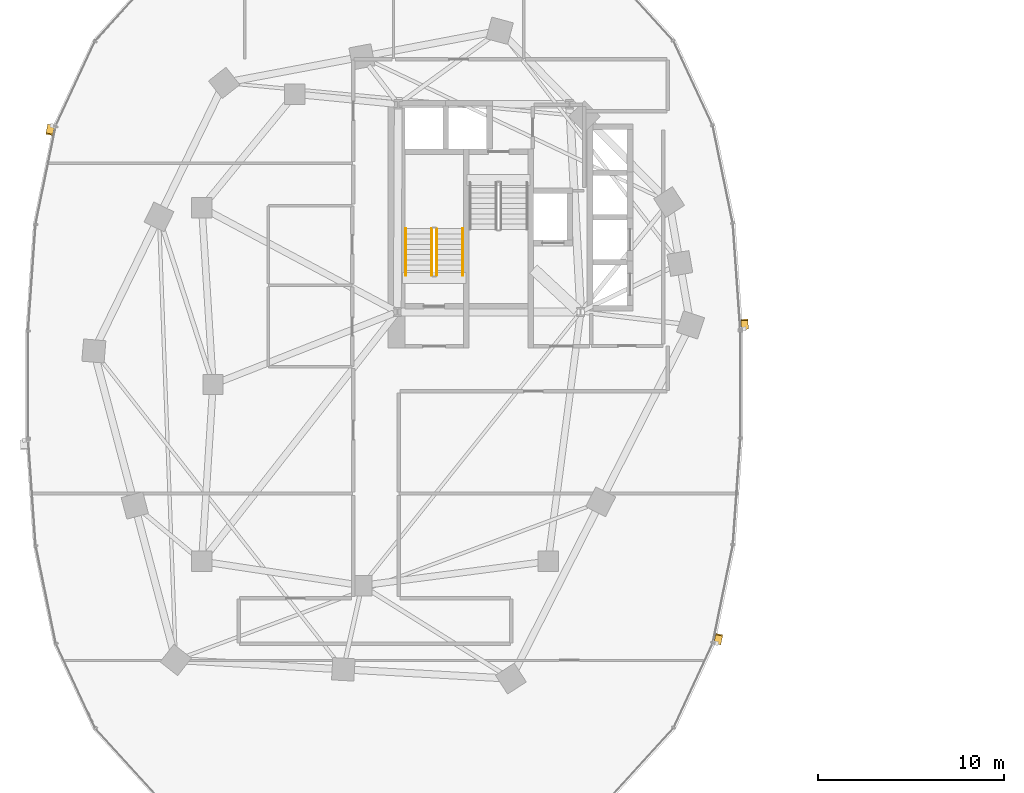
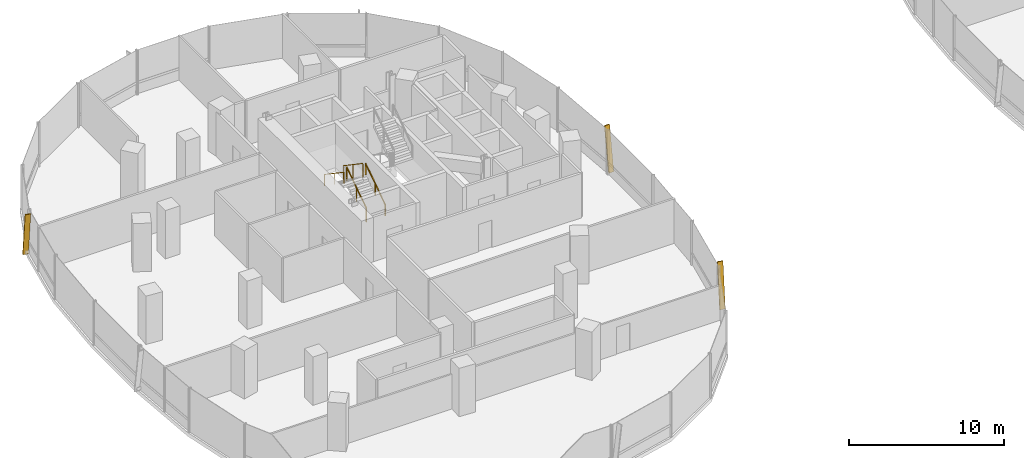
# One storey, part 18 of 21: 4 railings, 3 shading devices.
"""IFC4 building model written with IfcOpenShell, lengths in metres."""

from ifc_helpers import new_model, si_unit, direction, frame, origin, origin_2d, place, context, subcontext, project, spatial, rectangle, extrude, material, material_profile, profile_set, type_object, element, save


model = new_model("IFC4")

# Units and contexts
model_context = context("Model", 3, precision=1e-05, world=origin(), true_north=direction((0.0, 1.0)))
body_context = subcontext(model_context, "Body", "Model", "MODEL_VIEW")
ifc_project = project(units=[si_unit("LENGTHUNIT", "METRE"), si_unit("AREAUNIT", "SQUARE_METRE"), si_unit("VOLUMEUNIT", "CUBIC_METRE"), si_unit("PLANEANGLEUNIT", "RADIAN"), si_unit("MASSUNIT", "GRAM", prefix="KILO"), si_unit("THERMODYNAMICTEMPERATUREUNIT", "KELVIN"), si_unit("POWERUNIT", "WATT")], contexts=[model_context])

# Site, building, storey
site_placement = place(None, origin())
site = spatial("IfcSite", under=ifc_project, at=site_placement, CompositionType="ELEMENT")
building_placement = place(site_placement, origin())
building = spatial("IfcBuilding", under=site, at=building_placement, Name="Cundina Bronze Exchange", CompositionType="ELEMENT")
storey_placement = place(building_placement, frame((0.0, 0.0, 65.800048828125)))
storey = spatial("IfcBuildingStorey", under=building, at=storey_placement, Name="L16", CompositionType="ELEMENT", Elevation=65.800048828125)

# Railings
ifc_material_1 = material(Name="Steel ASTM A36 Painted", Category="steel")
railing_type_1 = type_object("IfcRailingType", Name="RLG-HND-900", PredefinedType="HANDRAIL", material=ifc_material_1)
railing_1_placement = place(storey_placement, frame((-27.7900390625, 5.85009765625, 0.18994140625)))
element("IfcRailing", 1, at=railing_1_placement, inside=storey, type_object=railing_type_1, Name="L16 ST-W1 stair handrail 1", PredefinedType="HANDRAIL", context=body_context, shape_type="SweptSolid", body=[
    extrude(rectangle(XDim=0.048095703125, YDim=0.048095703125, at=origin_2d()), frame((0.0, 0.0, 0.8759765625), z_axis=(0.0, 0.827483756001, 0.561489655786), x_axis=(-1.0, 0.0, 0.0)), (0.0, 0.0, 1.0), 3.04541015625),
    extrude(rectangle(XDim=0.0419921875, YDim=0.0419921875, at=origin_2d()), origin(), (0.0, 0.0, 1.0), 0.851806640625),
    extrude(rectangle(XDim=0.0419921875, YDim=0.0419921875, at=origin_2d()), frame((0.0, 1.260009765625, 0.85498046875)), (0.0, 0.0, 1.0), 0.851806640625),
    extrude(rectangle(XDim=0.0419921875, YDim=0.0419921875, at=origin_2d()), frame((0.0, 2.52001953125, 1.7099609375)), (0.0, 0.0, 1.0), 0.851806640625),
])
railing_2_placement = place(storey_placement, frame((-30.85009765625, 8.3701171875, 2.08984375)))
element("IfcRailing", 2, at=railing_2_placement, inside=storey, type_object=railing_type_1, Name="L16 ST-W1 stair handrail 2", PredefinedType="HANDRAIL", context=body_context, shape_type="SweptSolid", body=[
    extrude(rectangle(XDim=0.048095703125, YDim=0.048095703125, at=origin_2d()), frame((0.0, 0.0, 0.8759765625), z_axis=(0.0, -0.82744650838, 0.561544544778), x_axis=(1.0, 0.0, 0.0)), (0.0, 0.0, 1.0), 3.045654296875),
    extrude(rectangle(XDim=0.0419921875, YDim=0.0419921875, at=origin_2d()), origin(), (0.0, 0.0, 1.0), 0.851806640625),
    extrude(rectangle(XDim=0.0419921875, YDim=0.0419921875, at=origin_2d()), frame((0.0, -1.260009765625, 0.85498046875)), (0.0, 0.0, 1.0), 0.851806640625),
    extrude(rectangle(XDim=0.0419921875, YDim=0.0419921875, at=origin_2d()), frame((0.0, -2.52001953125, 1.710205078125)), (0.0, 0.0, 1.0), 0.851806640625),
])
railing_type_2 = type_object("IfcRailingType", Name="RLG-STG-1100", PredefinedType="GUARDRAIL", material=ifc_material_1)
railing_3_placement = place(storey_placement, frame((-29.18994140625, 5.85009765625, 0.18994140625)))
element("IfcRailing", 3, at=railing_3_placement, inside=storey, type_object=railing_type_2, Name="L16 ST-W1 stair guard 1", PredefinedType="GUARDRAIL", context=body_context, shape_type="SweptSolid", body=[
    extrude(rectangle(XDim=0.048095703125, YDim=0.048095703125, at=origin_2d()), frame((0.0, 0.0, 1.076171875), z_axis=(0.0, 0.827483756001, 0.561489655786), x_axis=(-1.0, 0.0, 0.0)), (0.0, 0.0, 1.0), 3.04541015625),
    extrude(rectangle(XDim=0.0419921875, YDim=0.0419921875, at=origin_2d()), origin(), (0.0, 0.0, 1.0), 1.052001953125),
    extrude(rectangle(XDim=0.0419921875, YDim=0.0419921875, at=origin_2d()), frame((0.0, 1.260009765625, 0.85498046875)), (0.0, 0.0, 1.0), 1.052001953125),
    extrude(rectangle(XDim=0.0419921875, YDim=0.0419921875, at=origin_2d()), frame((0.0, 2.52001953125, 1.7099609375)), (0.0, 0.0, 1.0), 1.052001953125),
])
railing_4_placement = place(storey_placement, frame((-29.449951171875, 8.3701171875, 2.08984375)))
element("IfcRailing", 4, at=railing_4_placement, inside=storey, type_object=railing_type_2, Name="L16 ST-W1 stair guard 3", PredefinedType="GUARDRAIL", context=body_context, shape_type="SweptSolid", body=[
    extrude(rectangle(XDim=0.048095703125, YDim=0.048095703125, at=origin_2d()), frame((0.0, 0.0, 1.076171875), z_axis=(0.0, -0.82744650838, 0.561544544778), x_axis=(1.0, 0.0, 0.0)), (0.0, 0.0, 1.0), 3.045654296875),
    extrude(rectangle(XDim=0.0419921875, YDim=0.0419921875, at=origin_2d()), origin(), (0.0, 0.0, 1.0), 1.052001953125),
    extrude(rectangle(XDim=0.0419921875, YDim=0.0419921875, at=origin_2d()), frame((0.0, -1.260009765625, 0.85498046875)), (0.0, 0.0, 1.0), 1.052001953125),
    extrude(rectangle(XDim=0.0419921875, YDim=0.0419921875, at=origin_2d()), frame((0.0, -2.52001953125, 1.710205078125)), (0.0, 0.0, 1.0), 1.052001953125),
])

# Shading devices
ifc_material_2 = material(Name="Anodised Bronze Aluminium 6063-T6", Category="aluminium")
ifc_material_profile = material_profile(ifc_material_2, rectangle(XDim=0.070068359375, YDim=0.3798828125, at=origin_2d()), Name="FIN70X380", Category="aluminium")
ifc_profile_set = profile_set([ifc_material_profile], Name="Anodised Bronze Aluminium 6063-T6")
shading_device_type = type_object("IfcShadingDeviceType", Name="SHD-FIN-BRZ380", PredefinedType="USERDEFINED", material=ifc_profile_set)
for number, where, z_axis, x_axis, name in (
    (5, (-12.6259765625, 2.993896484375, 0.02001953125), (-0.009645159174, 0.137059109714, 0.990515911709), (0.06953288269, -0.988072340253, 0.137398066402), "L16 Diagonal Bronze Solar Fin 1"),
    (6, (-49.89599609375, 13.911865234375, 0.02001953125), (-0.027747134956, -0.134612045151, 0.990509815096), (0.199966585563, 0.970114971774, 0.137442010309), "L16 Diagonal Bronze Solar Fin 5"),
    (7, (-14.10400390625, -13.911865234375, 0.02001953125), (0.027747134956, 0.134612045151, 0.990509815096), (-0.199966585563, -0.970114971774, 0.137442010309), "L16 Diagonal Bronze Solar Fin 5"),
):
    element("IfcShadingDevice", number, at=place(storey_placement, frame(where, z_axis=z_axis, x_axis=x_axis)), inside=storey, type_object=shading_device_type, Name=name, ObjectType="FIN", PredefinedType="USERDEFINED", context=body_context, shape_type="SweptSolid", body=[
        extrude(rectangle(XDim=0.070068359375, YDim=0.3798828125, at=origin_2d()), origin(), (0.0, 0.0, 1.0), 3.4931640625),
    ])

save(model, "model.ifc")
